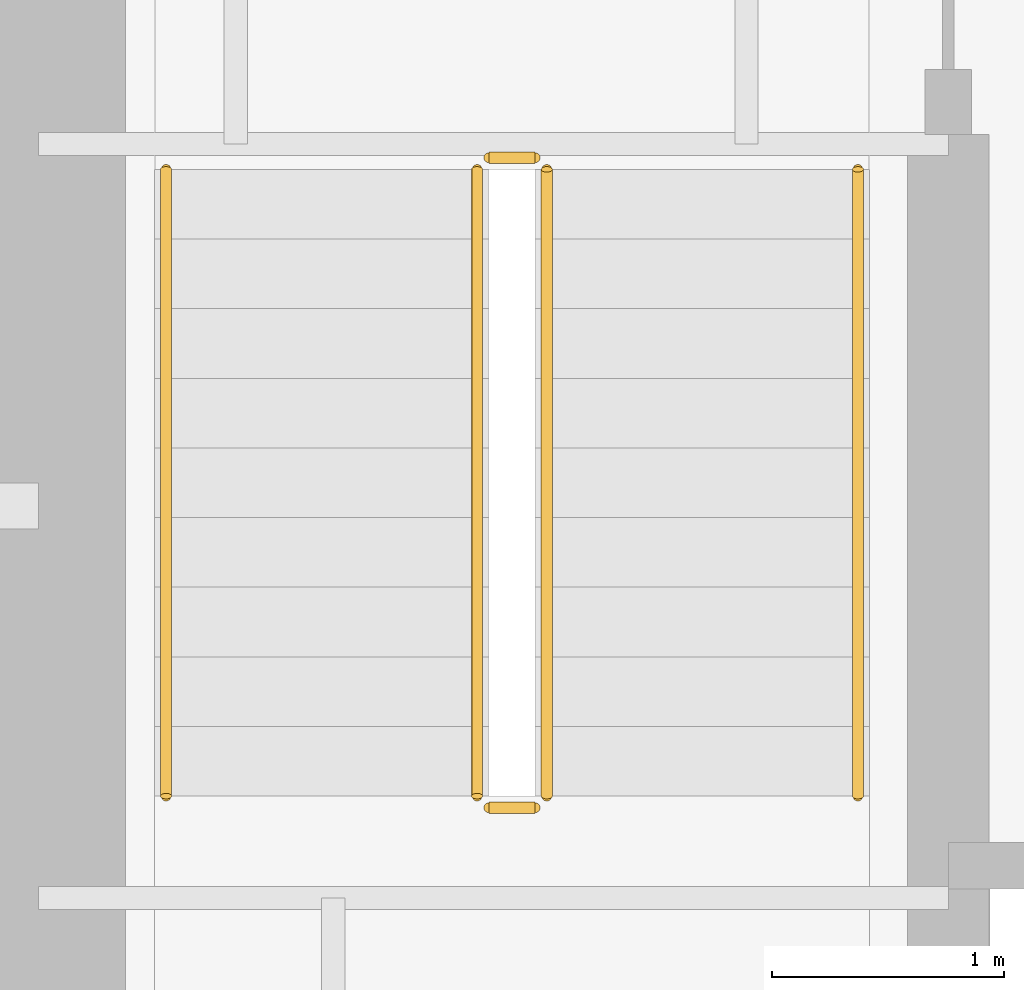
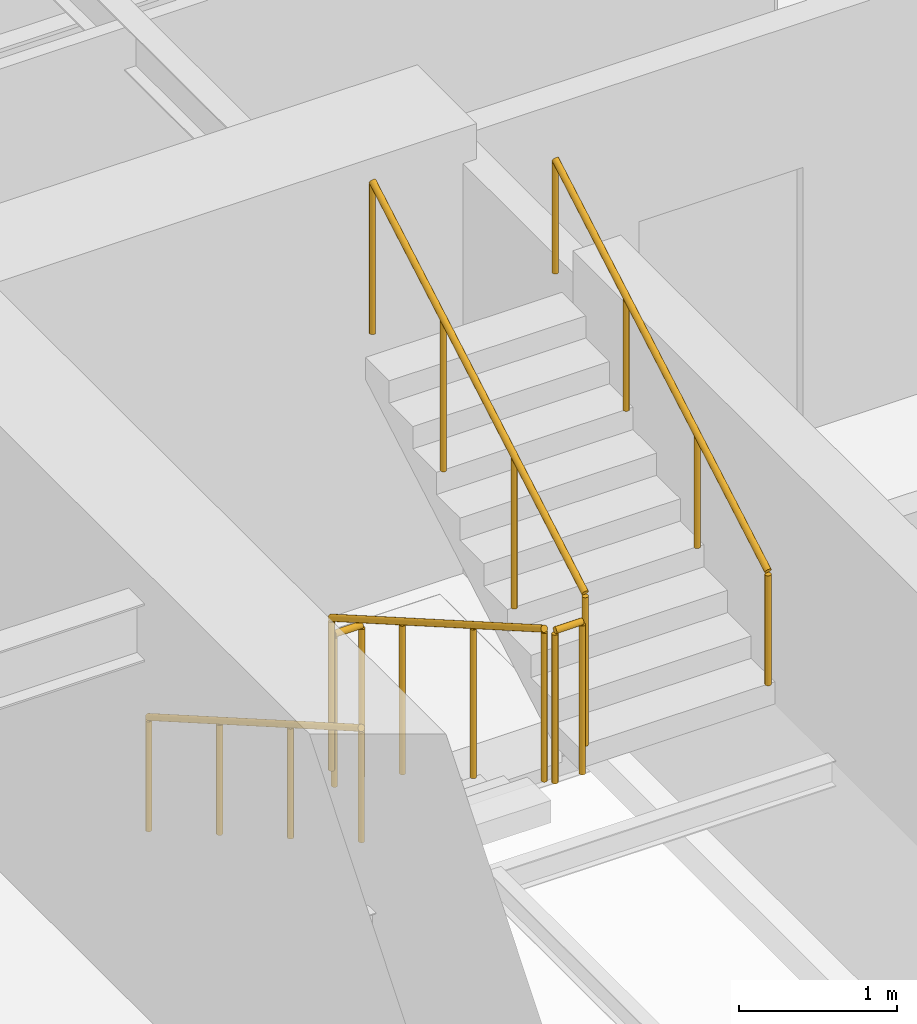
# One storey, part 11 of 15: 6 railings.
"""IFC4 building model written with IfcOpenShell, lengths in metres."""

from ifc_helpers import new_model, si_unit, direction, frame, origin, origin_2d, place, context, subcontext, project, spatial, circle, extrude, material, type_object, element, save


model = new_model("IFC4")

# Units and contexts
model_context = context("Model", 3, precision=1e-05, world=origin(), true_north=direction((0.0, 1.0)))
body_context = subcontext(model_context, "Body", "Model", "MODEL_VIEW")
ifc_project = project(units=[si_unit("LENGTHUNIT", "METRE"), si_unit("AREAUNIT", "SQUARE_METRE"), si_unit("VOLUMEUNIT", "CUBIC_METRE"), si_unit("PLANEANGLEUNIT", "RADIAN"), si_unit("MASSUNIT", "GRAM", prefix="KILO")], contexts=[model_context])

# Site, building, storey
site_placement = place(None, origin())
site = spatial("IfcSite", under=ifc_project, at=site_placement, CompositionType="ELEMENT")
building_placement = place(site_placement, origin())
building = spatial("IfcBuilding", under=site, at=building_placement, Name="Qiaolan Cultural Towers", CompositionType="ELEMENT")
storey_placement = place(building_placement, frame((0.0, 0.0, 50.60009765625)))
storey = spatial("IfcBuildingStorey", under=building, at=storey_placement, Name="L11", CompositionType="ELEMENT", Elevation=50.60009765625)

# Railings
ifc_material_1 = material(Name="Galvanized Painted Steel Stair Guardrail", Category="steel")
railing_type_1 = type_object("IfcRailingType", Name="RL-STAIR-GRD", PredefinedType="GUARDRAIL", material=ifc_material_1)
railing_1_placement = place(storey_placement, frame((23.68994140625, 19.550048828125, 0.17236328125)))
element("IfcRailing", 1, at=railing_1_placement, inside=storey, type_object=railing_type_1, Name="L11 ST-W1 stair guard 1", PredefinedType="GUARDRAIL", context=body_context, shape_type="SweptSolid", body=[
    extrude(circle(Radius=0.02392578125, at=origin_2d()), frame((0.0, 0.0, 1.17578125), z_axis=(0.0, -0.866903762492, 0.498475542607), x_axis=(1.0, 0.0, 0.0)), (0.0, 0.0, 1.0), 3.114501953125),
    extrude(circle(Radius=0.02099609375, at=origin_2d()), origin(), (0.0, 0.0, 1.0), 1.15185546875),
    extrude(circle(Radius=0.02099609375, at=origin_2d()), frame((0.0, -0.89990234375, 0.517578125)), (0.0, 0.0, 1.0), 1.15185546875),
    extrude(circle(Radius=0.02099609375, at=origin_2d()), frame((0.0, -1.800048828125, 1.034912109375)), (0.0, 0.0, 1.0), 1.15185546875),
    extrude(circle(Radius=0.02099609375, at=origin_2d()), frame((0.0, -2.699951171875, 1.552490234375)), (0.0, 0.0, 1.0), 1.15185546875),
])
railing_2_placement = place(storey_placement, frame((23.739990234375, 16.800048828125, 1.724853515625)))
element("IfcRailing", 2, at=railing_2_placement, inside=storey, type_object=railing_type_1, Name="L11 ST-W1 stair guard 2", PredefinedType="GUARDRAIL", context=body_context, shape_type="SweptSolid", body=[
    extrude(circle(Radius=0.02392578125, at=origin_2d()), frame((0.0, 0.0, 1.17578125), z_axis=(1.0, 0.0, 0.0), x_axis=(0.0, 1.0, 0.0)), (0.0, 0.0, 1.0), 0.199951171875),
    extrude(circle(Radius=0.02099609375, at=origin_2d()), origin(), (0.0, 0.0, 1.0), 1.15185546875),
    extrude(circle(Radius=0.02099609375, at=origin_2d()), frame((0.199951171875, 0.0, 0.0)), (0.0, 0.0, 1.0), 1.15185546875),
])
railing_3_placement = place(storey_placement, frame((23.989990234375, 16.85009765625, 1.8974609375)))
element("IfcRailing", 3, at=railing_3_placement, inside=storey, type_object=railing_type_1, Name="L11 ST-W1 stair guard 3", PredefinedType="GUARDRAIL", context=body_context, shape_type="SweptSolid", body=[
    extrude(circle(Radius=0.02392578125, at=origin_2d()), frame((0.0, 0.0, 1.17578125), z_axis=(0.0, 0.866903762492, 0.498475542607), x_axis=(-1.0, 0.0, 0.0)), (0.0, 0.0, 1.0), 3.114501953125),
    extrude(circle(Radius=0.02099609375, at=origin_2d()), origin(), (0.0, 0.0, 1.0), 1.15185546875),
    extrude(circle(Radius=0.02099609375, at=origin_2d()), frame((0.0, 0.89990234375, 0.517578125)), (0.0, 0.0, 1.0), 1.15185546875),
    extrude(circle(Radius=0.02099609375, at=origin_2d()), frame((0.0, 1.800048828125, 1.034912109375)), (0.0, 0.0, 1.0), 1.15185546875),
    extrude(circle(Radius=0.02099609375, at=origin_2d()), frame((0.0, 2.699951171875, 1.552490234375)), (0.0, 0.0, 1.0), 1.15185546875),
])
railing_4_placement = place(storey_placement, frame((23.739990234375, 19.60009765625, 0.0)))
element("IfcRailing", 4, at=railing_4_placement, inside=storey, type_object=railing_type_1, Name="L11 ST-W1 stair guard 4", PredefinedType="GUARDRAIL", context=body_context, shape_type="SweptSolid", body=[
    extrude(circle(Radius=0.02392578125, at=origin_2d()), frame((0.0, 0.0, 1.17578125), z_axis=(1.0, 0.0, 0.0), x_axis=(0.0, 1.0, 0.0)), (0.0, 0.0, 1.0), 0.199951171875),
    extrude(circle(Radius=0.02099609375, at=origin_2d()), origin(), (0.0, 0.0, 1.0), 1.15185546875),
    extrude(circle(Radius=0.02099609375, at=origin_2d()), frame((0.199951171875, 0.0, 0.0)), (0.0, 0.0, 1.0), 1.15185546875),
])
ifc_material_2 = material(Name="Stainless Steel S30408 Tubular Handrail", Category="steel")
railing_type_2 = type_object("IfcRailingType", Name="RL-STAIR-HR", PredefinedType="HANDRAIL", material=ifc_material_2)
railing_5_placement = place(storey_placement, frame((22.35009765625, 19.550048828125, 0.17236328125)))
element("IfcRailing", 5, at=railing_5_placement, inside=storey, type_object=railing_type_2, Name="L11 ST-W1 stair handrail 1", PredefinedType="HANDRAIL", context=body_context, shape_type="SweptSolid", body=[
    extrude(circle(Radius=0.02392578125, at=origin_2d()), frame((0.0, 0.0, 0.8759765625), z_axis=(0.0, -0.866903762492, 0.498475542607), x_axis=(1.0, 0.0, 0.0)), (0.0, 0.0, 1.0), 3.114501953125),
    extrude(circle(Radius=0.02099609375, at=origin_2d()), origin(), (0.0, 0.0, 1.0), 0.851806640625),
    extrude(circle(Radius=0.02099609375, at=origin_2d()), frame((0.0, -0.89990234375, 0.517578125)), (0.0, 0.0, 1.0), 0.851806640625),
    extrude(circle(Radius=0.02099609375, at=origin_2d()), frame((0.0, -1.800048828125, 1.034912109375)), (0.0, 0.0, 1.0), 0.851806640625),
    extrude(circle(Radius=0.02099609375, at=origin_2d()), frame((0.0, -2.699951171875, 1.552490234375)), (0.0, 0.0, 1.0), 0.851806640625),
])
railing_6_placement = place(storey_placement, frame((25.330078125, 16.85009765625, 1.8974609375)))
element("IfcRailing", 6, at=railing_6_placement, inside=storey, type_object=railing_type_2, Name="L11 ST-W1 stair handrail 2", PredefinedType="HANDRAIL", context=body_context, shape_type="SweptSolid", body=[
    extrude(circle(Radius=0.02392578125, at=origin_2d()), frame((0.0, 0.0, 0.8759765625), z_axis=(0.0, 0.866903762492, 0.498475542607), x_axis=(-1.0, 0.0, 0.0)), (0.0, 0.0, 1.0), 3.114501953125),
    extrude(circle(Radius=0.02099609375, at=origin_2d()), origin(), (0.0, 0.0, 1.0), 0.851806640625),
    extrude(circle(Radius=0.02099609375, at=origin_2d()), frame((0.0, 0.89990234375, 0.517578125)), (0.0, 0.0, 1.0), 0.851806640625),
    extrude(circle(Radius=0.02099609375, at=origin_2d()), frame((0.0, 1.800048828125, 1.034912109375)), (0.0, 0.0, 1.0), 0.851806640625),
    extrude(circle(Radius=0.02099609375, at=origin_2d()), frame((0.0, 2.699951171875, 1.552490234375)), (0.0, 0.0, 1.0), 0.851806640625),
])

save(model, "model.ifc")
